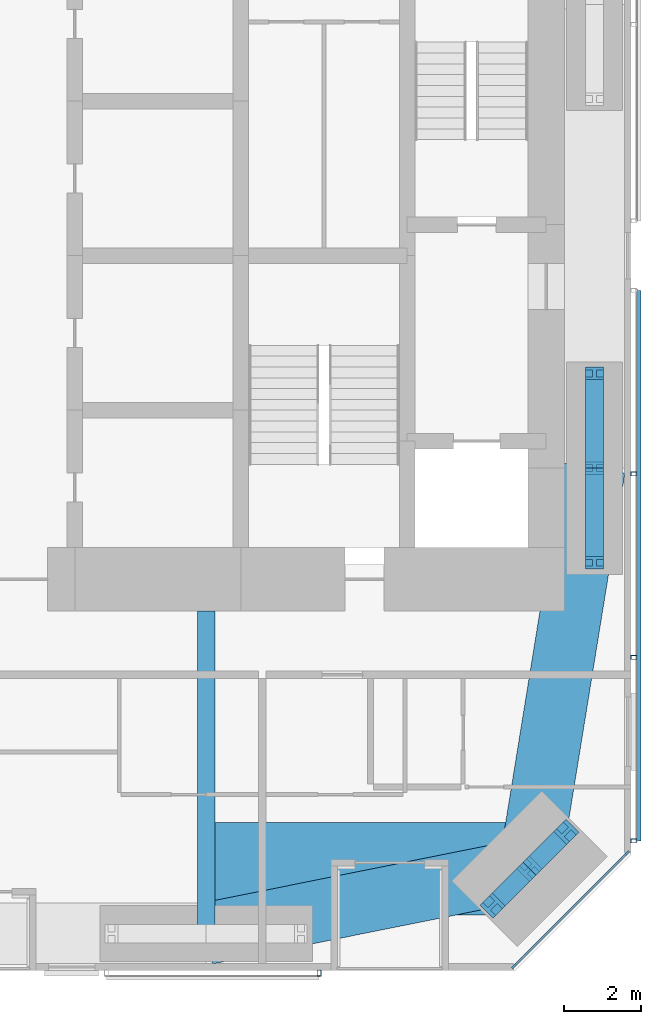
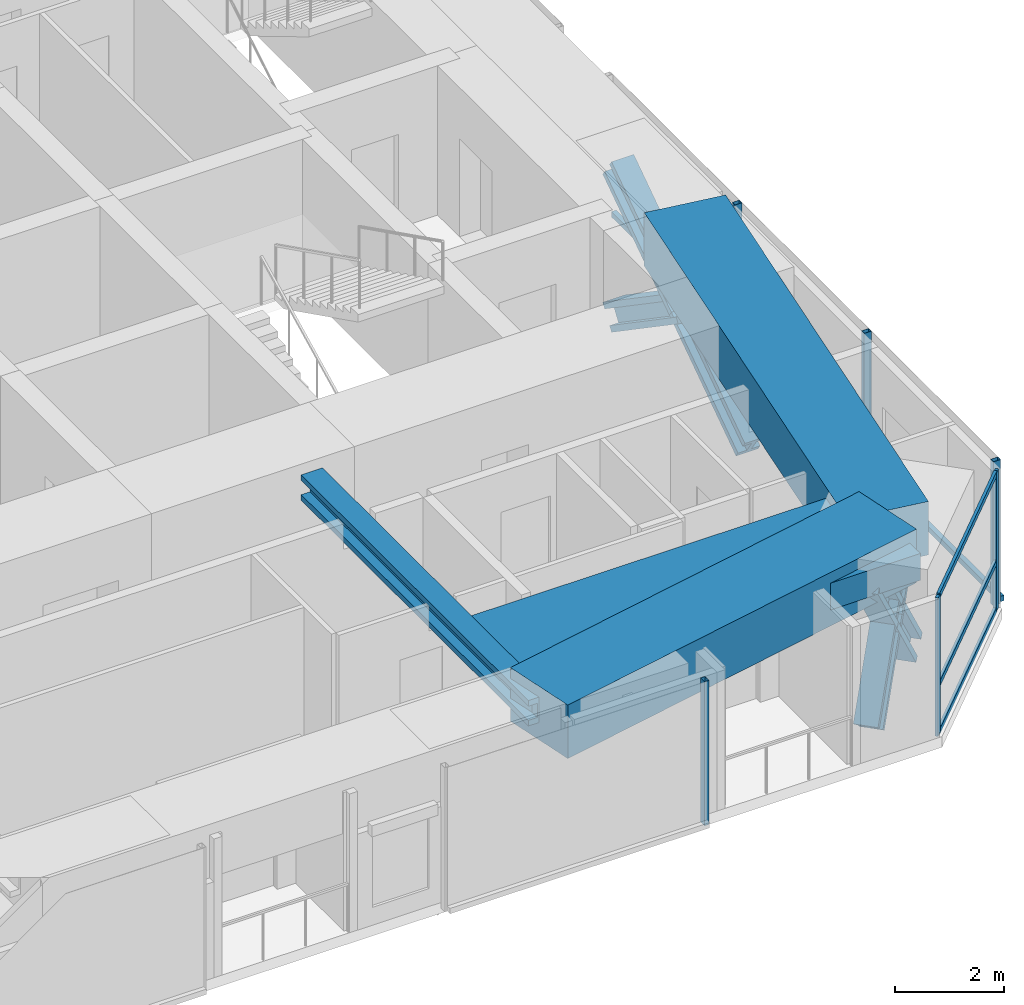
# One storey, part 9 of 24: 18 members, 4 beams, 3 elements without a shape of their own.
"""IFC4 building model written with IfcOpenShell, lengths in metres."""

import ifcopenshell
import ifcopenshell.guid

model = None  # the IFC model being written
_history = None  # IfcOwnerHistory: only IFC2X3 demands one
_inside = {}  # id of a spatial element -> (the spatial element, [elements in it])
_under = {}  # id of a project, library or spatial element -> (it, [spatial elements below it])
_declared = {}  # id of a project -> (the project, [libraries it declares])
_typed = {}  # id of a type object -> (the type object, [elements of that type])
_made_of = {}  # id of a material, layer set ... -> (it, [elements and type objects made of it])


def new_model(schema):
    """Start an empty IFC model of exactly this schema.

    Asked for "IFC4X3", IfcOpenShell would pick the latest addendum, in which some entities
    have other attributes; the version numbers below select the first issue.
    IFC2X3 requires an IfcOwnerHistory on every rooted entity: one is made here for all.
    """
    global model, _history
    if schema == "IFC4X3":
        model = ifcopenshell.file(schema_version=(4, 3, 0, 0))
    else:
        model = ifcopenshell.file(schema=schema)
    _inside.clear()
    _under.clear()
    _declared.clear()
    _typed.clear()
    _made_of.clear()
    _history = None
    if model.schema == "IFC2X3":
        org = make("IfcOrganization", Name="unknown")
        user = make(
            "IfcPersonAndOrganization",
            ThePerson=make("IfcPerson", FamilyName="unknown"),
            TheOrganization=org,
        )
        app = make(
            "IfcApplication",
            ApplicationDeveloper=org,
            Version="unknown",
            ApplicationFullName="unknown",
            ApplicationIdentifier="unknown",
        )
        _history = make(
            "IfcOwnerHistory",
            OwningUser=user,
            OwningApplication=app,
            ChangeAction="ADDED",
            CreationDate=0,
        )
    return model


def make(cls, **values):
    """One entity of the class cls with the attributes given. An attribute that is None is left unset."""
    return model.create_entity(
        cls, **{name: value for name, value in values.items() if value is not None}
    )


def rooted(cls, **values):
    """An entity with a GlobalId (a new one), such as an element, a storey or a relation."""
    return make(cls, GlobalId=ifcopenshell.guid.new(), OwnerHistory=_history, **values)


def si_unit(unit_type, name, prefix=None):
    """IfcSIUnit, for example si_unit("LENGTHUNIT", "METRE", prefix="MILLI")."""
    return make("IfcSIUnit", UnitType=unit_type, Prefix=prefix, Name=name)


def assignment(units):
    """IfcUnitAssignment: the units of a project."""
    return None if units is None else make("IfcUnitAssignment", Units=units)


def point(xyz):
    """IfcCartesianPoint."""
    return None if xyz is None else make("IfcCartesianPoint", Coordinates=xyz)


def direction(xyz):
    """IfcDirection."""
    return None if xyz is None else make("IfcDirection", DirectionRatios=xyz)


def frame(location, z_axis=None, x_axis=None):
    """IfcAxis2Placement3D, a coordinate frame: its origin and axes. An axis left out is left unset."""
    return make(
        "IfcAxis2Placement3D",
        Location=point(location),
        Axis=direction(z_axis),
        RefDirection=direction(x_axis),
    )


def frame_2d(location, x_axis=None):
    """IfcAxis2Placement2D, a coordinate frame in the plane: its origin and x axis."""
    return make(
        "IfcAxis2Placement2D", Location=point(location), RefDirection=direction(x_axis)
    )


def origin():
    """The frame at (0, 0, 0) with its axes left unset."""
    return frame((0.0, 0.0, 0.0))


def origin_2d():
    """The frame at (0, 0) in the plane with its x axis left unset."""
    return frame_2d((0.0, 0.0))


def place(relative_to, where):
    """IfcLocalPlacement: puts the frame where relative to a parent placement (None: the world)."""
    return make(
        "IfcLocalPlacement", PlacementRelTo=relative_to, RelativePlacement=where
    )


def context(
    kind, dimensions, precision=None, world=None, true_north=None, identifier=None
):
    """IfcGeometricRepresentationContext, for example the 3D "Model" context."""
    return make(
        "IfcGeometricRepresentationContext",
        ContextIdentifier=identifier,
        ContextType=kind,
        CoordinateSpaceDimension=dimensions,
        Precision=precision,
        WorldCoordinateSystem=world,
        TrueNorth=true_north,
    )


def subcontext(parent, identifier, kind, view, scale=None):
    """IfcGeometricRepresentationSubContext, for example "Body" below "Model"."""
    return make(
        "IfcGeometricRepresentationSubContext",
        ContextIdentifier=identifier,
        ContextType=kind,
        ParentContext=parent,
        TargetScale=scale,
        TargetView=view,
    )


def project(units=None, contexts=None):
    """IfcProject with its units and contexts."""
    return rooted(
        "IfcProject",
        Name="project",
        RepresentationContexts=contexts,
        UnitsInContext=assignment(units),
    )


def spatial(cls, under=None, at=None, **own):
    """A site, building, storey or space (cls), placed at a placement, below another one or the project."""
    s = rooted(cls, ObjectPlacement=at, **own)
    if under is not None:
        _under.setdefault(under.id(), (under, []))[1].append(s)
    return s


def profile(cls, at=None, kind="AREA", **sizes):
    """A parametric profile (cls). Its sizes go by their IFC names, for example OverallWidth=200.0."""
    return make(cls, ProfileType=kind, Position=at, **sizes)


def rectangle(**sizes):
    """IfcRectangleProfileDef."""
    return profile("IfcRectangleProfileDef", **sizes)


def hollow_rectangle(**sizes):
    """IfcRectangleHollowProfileDef."""
    return profile("IfcRectangleHollowProfileDef", **sizes)


def i_section(**sizes):
    """IfcIShapeProfileDef."""
    return profile("IfcIShapeProfileDef", **sizes)


def extrude(swept, where, along, depth):
    """IfcExtrudedAreaSolid: the profile swept, set in the frame where, extruded along a direction by depth."""
    return make(
        "IfcExtrudedAreaSolid",
        SweptArea=swept,
        Position=where,
        ExtrudedDirection=direction(along),
        Depth=depth,
    )


def shape(context_of_items, identifier, shape_type, items):
    """IfcShapeRepresentation: the items that make up one representation, for example the "Body"."""
    return make(
        "IfcShapeRepresentation",
        ContextOfItems=context_of_items,
        RepresentationIdentifier=identifier,
        RepresentationType=shape_type,
        Items=items,
    )


def material(Name=None, Category=None):
    """IfcMaterial."""
    return make("IfcMaterial", Name=Name, Category=Category)


def material_profile(
    of_material, cross_section, Name=None, Category=None, Priority=None
):
    """IfcMaterialProfile: a cross section and its material."""
    return make(
        "IfcMaterialProfile",
        Name=Name,
        Material=of_material,
        Profile=cross_section,
        Priority=Priority,
        Category=Category,
    )


def profile_set(profiles, Name=None, composite=None):
    """IfcMaterialProfileSet."""
    return make(
        "IfcMaterialProfileSet",
        Name=Name,
        MaterialProfiles=profiles,
        CompositeProfile=composite,
    )


def made_of(thing, what):
    """Note that an element or type object is made of a material, layer set ...; save() writes the relation."""
    if what is not None:
        _made_of.setdefault(what.id(), (what, []))[1].append(thing)
    return thing


def type_object(cls, material=None, **own):
    """A type object (cls), such as IfcWallType, which elements share."""
    return made_of(rooted(cls, **own), material)


def element(
    cls,
    number,
    at=None,
    inside=None,
    cuts=None,
    type_object=None,
    material=None,
    context=None,
    identifier="Body",
    shape_type=None,
    held_by="IfcProductDefinitionShape",
    body=None,
    shapes=None,
    **own,
):
    """One element of the class cls, such as IfcWall. Its Tag is "e" and its number.

    at: its placement. inside: the storey or other place that contains it. cuts: it is an
    opening in that element (IfcRelVoidsElement). A single representation is given by context,
    identifier, shape_type and body (its items); several are given by shapes. held_by: the class
    of the entity that holds the representations. save() writes the other relations.
    """
    e = rooted(cls, Tag="e%d" % number, ObjectPlacement=at, **own)
    if body is not None:
        shapes = [shape(context, identifier, shape_type, body)]
    if shapes is not None:
        e.Representation = make(held_by, Representations=shapes)
    if inside is not None:
        _inside.setdefault(inside.id(), (inside, []))[1].append(e)
    if cuts is not None:
        rooted(
            "IfcRelVoidsElement", RelatingBuildingElement=cuts, RelatedOpeningElement=e
        )
    if type_object is not None:
        _typed.setdefault(type_object.id(), (type_object, []))[1].append(e)
    return made_of(e, material)


def aggregate(whole, parts):
    """IfcRelAggregates: a whole, such as a stair, and the parts it consists of."""
    return rooted("IfcRelAggregates", RelatingObject=whole, RelatedObjects=parts)


def save(model, path):
    """Write the relations noted so far, then the file.

    IfcRelAggregates (storeys below a building ...), IfcRelContainedInSpatialStructure (elements
    in a storey), IfcRelDefinesByType, IfcRelAssociatesMaterial and IfcRelDeclares: one each for
    every whole, place, type object, material and project.
    """
    for whole, parts in _under.values():
        aggregate(whole, parts)
    for where, things in _inside.values():
        rooted(
            "IfcRelContainedInSpatialStructure",
            RelatedElements=things,
            RelatingStructure=where,
        )
    for kind, things in _typed.values():
        rooted("IfcRelDefinesByType", RelatedObjects=things, RelatingType=kind)
    for what, things in _made_of.values():
        rooted("IfcRelAssociatesMaterial", RelatedObjects=things, RelatingMaterial=what)
    for by, libraries in _declared.values():
        rooted("IfcRelDeclares", RelatingContext=by, RelatedDefinitions=libraries)
    model.write(path)


model = new_model("IFC4")

# Units and contexts
model_context = context("Model", 3, precision=1e-05, world=origin(), true_north=direction((0.0, 1.0)))
body_context = subcontext(model_context, "Body", "Model", "MODEL_VIEW")
ifc_project = project(units=[si_unit("LENGTHUNIT", "METRE"), si_unit("AREAUNIT", "SQUARE_METRE"), si_unit("VOLUMEUNIT", "CUBIC_METRE"), si_unit("PLANEANGLEUNIT", "RADIAN"), si_unit("MASSUNIT", "GRAM", prefix="KILO")], contexts=[model_context])

# Site, building, storey
site_placement = place(None, origin())
site = spatial("IfcSite", under=ifc_project, at=site_placement, CompositionType="ELEMENT")
building_placement = place(site_placement, origin())
building = spatial("IfcBuilding", under=site, at=building_placement, Name="Jalousie Tower", CompositionType="ELEMENT")
storey_placement = place(building_placement, frame((0.0, 0.0, 51.14990234375)))
storey = spatial("IfcBuildingStorey", under=building, at=storey_placement, Name="L13", CompositionType="ELEMENT", Elevation=51.14990234375)

# Curtain wall, members
ifc_material_1 = material(Name="Aluminium curtain wall", Category="aluminium")
curtain_wall_type_1 = type_object("IfcCurtainWallType", Name="CORNER WINDOW WALL", PredefinedType="USERDEFINED", material=ifc_material_1)
curtain_wall_1_placement = place(storey_placement, origin())
curtain_wall_1 = element("IfcCurtainWall", 1, at=curtain_wall_1_placement, inside=storey, type_object=curtain_wall_type_1, Name="Corner Window Wall L13 2", ObjectType="CORNER WINDOW WALL", PredefinedType="USERDEFINED")
ifc_material_2 = material(Name="Aluminium mullion", Category="aluminium")
ifc_material_profile_1 = material_profile(ifc_material_2, rectangle(XDim=0.06005859375, YDim=0.14990234375, at=origin_2d()), Name="MULLION 60x150")
ifc_profile_set_1 = profile_set([ifc_material_profile_1], Name="Aluminium mullion")
member_type_1 = type_object("IfcMemberType", Name="CORNER WINDOW WALL MULLION", PredefinedType="MULLION", material=ifc_profile_set_1)
member_1_placement = place(storey_placement, frame((42.969970703125, 0.108642578125, 0.0), z_axis=(0.0, 0.0, 1.0), x_axis=(-0.707106781187, 0.707106781187, 0.0)))
member_1 = element("IfcMember", 2, at=member_1_placement, type_object=member_type_1, Name="CW-C mullion 1", PredefinedType="MULLION", context=body_context, shape_type="SweptSolid", body=[
    extrude(rectangle(XDim=0.06005859375, YDim=0.14990234375, at=origin_2d()), origin(), (0.0, 0.0, 1.0), 3.110107421875),
])
member_2_placement = place(storey_placement, frame((45.891357421875, 3.030029296875, 0.0), z_axis=(0.0, 0.0, 1.0), x_axis=(-0.707106781187, 0.707106781187, 0.0)))
member_2 = element("IfcMember", 3, at=member_2_placement, type_object=member_type_1, Name="CW-C mullion 2", PredefinedType="MULLION", context=body_context, shape_type="SweptSolid", body=[
    extrude(rectangle(XDim=0.06005859375, YDim=0.14990234375, at=origin_2d()), origin(), (0.0, 0.0, 1.0), 3.110107421875),
])
ifc_material_3 = material(Name="Aluminium transom", Category="aluminium")
ifc_material_profile_2 = material_profile(ifc_material_3, rectangle(XDim=0.06005859375, YDim=0.1201171875, at=origin_2d()), Name="TRANSOM 60x120")
ifc_profile_set_2 = profile_set([ifc_material_profile_2], Name="Aluminium transom")
member_type_2 = type_object("IfcMemberType", Name="CORNER WINDOW WALL TRANSOM", PredefinedType="USERDEFINED", material=ifc_profile_set_2)
member_3_placement = place(storey_placement, frame((42.9912109375, 0.1298828125, 0.030029296875), z_axis=(0.707106781187, 0.707106781187, 0.0), x_axis=(-0.707106781187, 0.707106781187, 0.0)))
member_3 = element("IfcMember", 4, at=member_3_placement, type_object=member_type_2, Name="CW-C transom 1.1", ObjectType="TRANSOM", PredefinedType="USERDEFINED", context=body_context, shape_type="SweptSolid", body=[
    extrude(rectangle(XDim=0.06005859375, YDim=0.1201171875, at=origin_2d()), origin(), (0.0, 0.0, 1.0), 4.0712890625),
])
member_4_placement = place(storey_placement, frame((42.9912109375, 0.1298828125, 1.10009765625), z_axis=(0.707106781187, 0.707106781187, 0.0), x_axis=(-0.707106781187, 0.707106781187, 0.0)))
member_4 = element("IfcMember", 5, at=member_4_placement, type_object=member_type_2, Name="CW-C transom 1.2", ObjectType="TRANSOM", PredefinedType="USERDEFINED", context=body_context, shape_type="SweptSolid", body=[
    extrude(rectangle(XDim=0.06005859375, YDim=0.1201171875, at=origin_2d()), origin(), (0.0, 0.0, 1.0), 4.0712890625),
])
member_5_placement = place(storey_placement, frame((42.9912109375, 0.1298828125, 3.080078125), z_axis=(0.707106781187, 0.707106781187, 0.0), x_axis=(-0.707106781187, 0.707106781187, 0.0)))
member_5 = element("IfcMember", 6, at=member_5_placement, type_object=member_type_2, Name="CW-C transom 1.3", ObjectType="TRANSOM", PredefinedType="USERDEFINED", context=body_context, shape_type="SweptSolid", body=[
    extrude(rectangle(XDim=0.06005859375, YDim=0.1201171875, at=origin_2d()), origin(), (0.0, 0.0, 1.0), 4.0712890625),
])
aggregate(curtain_wall_1, [member_1, member_2, member_3, member_4, member_5])

# Beam
ifc_material_4 = material(Name="Steel ASTM A992 Grade 50", Category="steel")
ifc_material_profile_3 = material_profile(ifc_material_4, i_section(OverallWidth=0.45458984375, OverallDepth=0.569091796875, WebThickness=0.077880859375, FlangeThickness=0.124755859375, at=origin_2d()), Name="W14X730")
ifc_profile_set_3 = profile_set([ifc_material_profile_3], Name="Steel ASTM A992 Grade 50")
beam_type_1 = type_object("IfcBeamType", Name="LEAN COLLECTOR W14X730", PredefinedType="BEAM", material=ifc_profile_set_3)
beam_1_placement = place(storey_placement, frame((35.0, 0.949951171875, 2.82568359375), z_axis=(0.0, 1.0, 0.0), x_axis=(-1.0, 0.0, 0.0)))
element("IfcBeam", 7, at=beam_1_placement, inside=storey, type_object=beam_type_1, Name="Lean collector under L14", PredefinedType="BEAM", context=body_context, shape_type="SweptSolid", body=[
    extrude(i_section(OverallWidth=0.45458984375, OverallDepth=0.569091796875, WebThickness=0.077880859375, FlangeThickness=0.124755859375, at=origin_2d()), origin(), (0.0, 0.0, 1.0), 8.35009765625),
])

# Members
ifc_material_5 = material(Name="Steel ASTM A992 Grade 50", Category="steel")
ifc_material_profile_4 = material_profile(ifc_material_5, i_section(OverallWidth=0.472412109375, OverallDepth=0.5791015625, WebThickness=0.094970703125, FlangeThickness=0.1298828125, at=origin_2d()), Name="W14X808")
ifc_profile_set_4 = profile_set([ifc_material_profile_4], Name="Steel ASTM A992 Grade 50")
member_type_3 = type_object("IfcMemberType", Name="PERIMETER BRACE W14X808", PredefinedType="BRACE", material=ifc_profile_set_4)
member_6_placement = place(storey_placement, frame((42.4140625, 1.6767578125, -0.599853515625), z_axis=(0.443718327034, 0.443718327034, 0.778606506849), x_axis=(-0.707106781187, 0.707106781187, 0.0)))
element("IfcMember", 8, at=member_6_placement, inside=storey, type_object=member_type_3, Name="Perimeter brace 05 L13 part 1", PredefinedType="BRACE", context=body_context, shape_type="SweptSolid", body=[
    extrude(i_section(OverallWidth=0.472412109375, OverallDepth=0.5791015625, WebThickness=0.094970703125, FlangeThickness=0.1298828125, at=origin_2d()), origin(), (0.0, 0.0, 1.0), 2.1513671875),
])
member_7_placement = place(storey_placement, frame((43.36865234375, 2.63134765625, 1.0751953125), z_axis=(0.443757535686, 0.443757535686, 0.778561814529), x_axis=(-0.707106781187, 0.707106781187, 0.0)))
element("IfcMember", 9, at=member_7_placement, inside=storey, type_object=member_type_3, Name="Perimeter brace 05 L13 part 2", PredefinedType="BRACE", context=body_context, shape_type="SweptSolid", body=[
    extrude(i_section(OverallWidth=0.472412109375, OverallDepth=0.5791015625, WebThickness=0.094970703125, FlangeThickness=0.1298828125, at=origin_2d()), origin(), (0.0, 0.0, 1.0), 2.151123046875),
])
member_8_placement = place(storey_placement, frame((44.3232421875, 3.5859375, -0.599853515625), z_axis=(-0.443718327034, -0.443718327034, 0.778606506849), x_axis=(0.707106781187, -0.707106781187, 0.0)))
element("IfcMember", 10, at=member_8_placement, inside=storey, type_object=member_type_3, Name="Perimeter brace 05 L13 part 3", PredefinedType="BRACE", context=body_context, shape_type="SweptSolid", body=[
    extrude(i_section(OverallWidth=0.472412109375, OverallDepth=0.5791015625, WebThickness=0.094970703125, FlangeThickness=0.1298828125, at=origin_2d()), origin(), (0.0, 0.0, 1.0), 2.1513671875),
])
member_9_placement = place(storey_placement, frame((43.36865234375, 2.63134765625, 1.0751953125), z_axis=(-0.443757535686, -0.443757535686, 0.778561814529), x_axis=(0.707106781187, -0.707106781187, 0.0)))
element("IfcMember", 11, at=member_9_placement, inside=storey, type_object=member_type_3, Name="Perimeter brace 05 L13 part 4", PredefinedType="BRACE", context=body_context, shape_type="SweptSolid", body=[
    extrude(i_section(OverallWidth=0.472412109375, OverallDepth=0.5791015625, WebThickness=0.094970703125, FlangeThickness=0.1298828125, at=origin_2d()), origin(), (0.0, 0.0, 1.0), 2.151123046875),
])
for number, where, z_axis, x_axis, name in (
    (12, (45.050048828125, 10.550048828125, -0.599853515625), (0.0, 0.825500916831, 0.564400776321), (-1.0, 0.0, 0.0), "Perimeter brace 06 L13 part 1"),
    (13, (45.050048828125, 13.0, 1.0751953125), (0.0, 0.825539243753, 0.564344714713), (-1.0, 0.0, 0.0), "Perimeter brace 06 L13 part 2"),
    (14, (45.050048828125, 15.449951171875, -0.599853515625), (0.0, -0.825500916831, 0.564400776321), (1.0, 0.0, 0.0), "Perimeter brace 06 L13 part 3"),
    (15, (45.050048828125, 13.0, 1.0751953125), (0.0, -0.825539243753, 0.564344714713), (1.0, 0.0, 0.0), "Perimeter brace 06 L13 part 4"),
):
    element("IfcMember", number, at=place(storey_placement, frame(where, z_axis=z_axis, x_axis=x_axis)), inside=storey, type_object=member_type_3, Name=name, PredefinedType="BRACE", context=body_context, shape_type="SweptSolid", body=[
        extrude(i_section(OverallWidth=0.472412109375, OverallDepth=0.5791015625, WebThickness=0.094970703125, FlangeThickness=0.1298828125, at=origin_2d()), origin(), (0.0, 0.0, 1.0), 2.9677734375),
    ])

# Beams
ifc_material_6 = material(Name="Concrete f'c 40 MPa", Category="concrete")
ifc_material_profile_5 = material_profile(ifc_material_6, rectangle(XDim=1.60009765625, YDim=1.199951171875, at=origin_2d()), Name="RC 1600x1200")
ifc_profile_set_5 = profile_set([ifc_material_profile_5], Name="Concrete f'c 40 MPa")
beam_type_2 = type_object("IfcBeamType", Name="RC BEAM 1600x1200", PredefinedType="BEAM", material=ifc_profile_set_5)
beam_2_placement = place(storey_placement, frame((35.0, 0.949951171875, 2.75), z_axis=(0.980407585444, 0.196979609107, 0.0), x_axis=(-0.196979609107, 0.980407585444, 0.0)))
element("IfcBeam", 16, at=beam_2_placement, inside=storey, type_object=beam_type_2, Name="Edge band beam 04-05 under L14", PredefinedType="BEAM", context=body_context, shape_type="SweptSolid", body=[
    extrude(rectangle(XDim=1.60009765625, YDim=1.199951171875, at=origin_2d()), origin(), (0.0, 0.0, 1.0), 8.535888671875),
])
beam_3_placement = place(storey_placement, frame((43.36865234375, 2.63134765625, 2.75), z_axis=(0.160070546476, 0.987105577003, 0.0), x_axis=(-0.987105577003, 0.160070546476, 0.0)))
element("IfcBeam", 17, at=beam_3_placement, inside=storey, type_object=beam_type_2, Name="Edge band beam 05-06 under L14", PredefinedType="BEAM", context=body_context, shape_type="SweptSolid", body=[
    extrude(rectangle(XDim=1.60009765625, YDim=1.199951171875, at=origin_2d()), origin(), (0.0, 0.0, 1.0), 10.504150390625),
])
ifc_material_7 = material(Name="Concrete f'c 40 MPa", Category="concrete")
ifc_material_profile_6 = material_profile(ifc_material_7, rectangle(XDim=2.39990234375, YDim=0.60009765625, at=origin_2d()), Name="RC 2400x600")
ifc_profile_set_6 = profile_set([ifc_material_profile_6], Name="Concrete f'c 40 MPa")
beam_type_3 = type_object("IfcBeamType", Name="RC BEAM 2400x600", PredefinedType="BEAM", material=ifc_profile_set_6)
beam_4_placement = place(storey_placement, frame((43.36865234375, 2.63134765625, 2.81005859375), z_axis=(-1.0, 0.0, 0.0), x_axis=(0.0, -1.0, 0.0)))
element("IfcBeam", 18, at=beam_4_placement, inside=storey, type_object=beam_type_3, Name="Floor band beam under L14", PredefinedType="BEAM", context=body_context, shape_type="SweptSolid", body=[
    extrude(rectangle(XDim=2.39990234375, YDim=0.60009765625, at=origin_2d()), origin(), (0.0, 0.0, 1.0), 8.36865234375),
])

# Curtain wall, member
ifc_material_8 = material(Name="Perforated aluminium sheet", Category="aluminium")
curtain_wall_type_2 = type_object("IfcCurtainWallType", Name="SOLAR SCREEN SS-1", PredefinedType="USERDEFINED", material=ifc_material_8)
curtain_wall_2_placement = place(storey_placement, origin())
curtain_wall_2 = element("IfcCurtainWall", 19, at=curtain_wall_2_placement, inside=storey, type_object=curtain_wall_type_2, Name="Solar screen L13", ObjectType="SOLAR SCREEN SS-1", PredefinedType="USERDEFINED")
ifc_material_9 = material(Name="Steel ASTM A500 Grade C", Category="steel")
ifc_material_profile_7 = material_profile(ifc_material_9, hollow_rectangle(XDim=0.1015625, YDim=0.15234375, WallThickness=0.00634765625, at=origin_2d()), Name="HSS6X4X1/4")
ifc_profile_set_7 = profile_set([ifc_material_profile_7], Name="Steel ASTM A500 Grade C")
member_type_4 = type_object("IfcMemberType", Name="SOLAR SCREEN SS-1 MULLION", PredefinedType="MULLION", material=ifc_profile_set_7)
member_10_placement = place(storey_placement, frame((37.925048828125, -0.0712890625, -0.119873046875), z_axis=(0.0, 0.0, 1.0), x_axis=(1.0, 0.0, 0.0)))
member_10 = element("IfcMember", 20, at=member_10_placement, type_object=member_type_4, Name="SS1 post 2", PredefinedType="MULLION", context=body_context, shape_type="SweptSolid", body=[
    extrude(hollow_rectangle(XDim=0.1015625, YDim=0.15234375, WallThickness=0.00634765625, at=origin_2d()), origin(), (0.0, 0.0, 1.0), 3.22998046875),
])
aggregate(curtain_wall_2, [member_10])

# Curtain wall, members
curtain_wall_3_placement = place(storey_placement, origin())
curtain_wall_3 = element("IfcCurtainWall", 21, at=curtain_wall_3_placement, inside=storey, type_object=curtain_wall_type_2, Name="Solar screen L13", ObjectType="SOLAR SCREEN SS-1", PredefinedType="USERDEFINED")
member_11_placement = place(storey_placement, frame((46.0712890625, 3.351318359375, -0.119873046875), z_axis=(0.0, 0.0, 1.0), x_axis=(0.0, 1.0, 0.0)))
member_11 = element("IfcMember", 22, at=member_11_placement, type_object=member_type_4, Name="SS1 post 1", PredefinedType="MULLION", context=body_context, shape_type="SweptSolid", body=[
    extrude(hollow_rectangle(XDim=0.1015625, YDim=0.15234375, WallThickness=0.00634765625, at=origin_2d()), origin(), (0.0, 0.0, 1.0), 3.22998046875),
])
member_12_placement = place(storey_placement, frame((46.0712890625, 8.100830078125, -0.119873046875), z_axis=(0.0, 0.0, 1.0), x_axis=(0.0, 1.0, 0.0)))
member_12 = element("IfcMember", 23, at=member_12_placement, type_object=member_type_4, Name="SS1 post 2", PredefinedType="MULLION", context=body_context, shape_type="SweptSolid", body=[
    extrude(hollow_rectangle(XDim=0.1015625, YDim=0.15234375, WallThickness=0.00634765625, at=origin_2d()), origin(), (0.0, 0.0, 1.0), 3.22998046875),
])
member_13_placement = place(storey_placement, frame((46.0712890625, 12.850341796875, -0.119873046875), z_axis=(0.0, 0.0, 1.0), x_axis=(0.0, 1.0, 0.0)))
member_13 = element("IfcMember", 24, at=member_13_placement, type_object=member_type_4, Name="SS1 post 3", PredefinedType="MULLION", context=body_context, shape_type="SweptSolid", body=[
    extrude(hollow_rectangle(XDim=0.1015625, YDim=0.15234375, WallThickness=0.00634765625, at=origin_2d()), origin(), (0.0, 0.0, 1.0), 3.22998046875),
])
ifc_material_10 = material(Name="Extruded aluminium screen rail", Category="aluminium")
ifc_material_profile_8 = material_profile(ifc_material_10, rectangle(XDim=0.1015625, YDim=0.1201171875, at=origin_2d()), Name="RAIL 102x120")
ifc_profile_set_8 = profile_set([ifc_material_profile_8], Name="Extruded aluminium screen rail")
member_type_5 = type_object("IfcMemberType", Name="SOLAR SCREEN SS-1 TRANSOM", PredefinedType="USERDEFINED", material=ifc_profile_set_8)
member_14_placement = place(storey_placement, frame((46.1982421875, 3.351318359375, -0.059814453125), z_axis=(0.0, 1.0, 0.0), x_axis=(-1.0, 0.0, 0.0)))
member_14 = element("IfcMember", 25, at=member_14_placement, type_object=member_type_5, Name="SS1 rail", ObjectType="TRANSOM", PredefinedType="USERDEFINED", context=body_context, shape_type="SweptSolid", body=[
    extrude(rectangle(XDim=0.1015625, YDim=0.1201171875, at=origin_2d()), origin(), (0.0, 0.0, 1.0), 14.248779296875),
])
aggregate(curtain_wall_3, [member_11, member_12, member_13, member_14])

save(model, "model.ifc")
